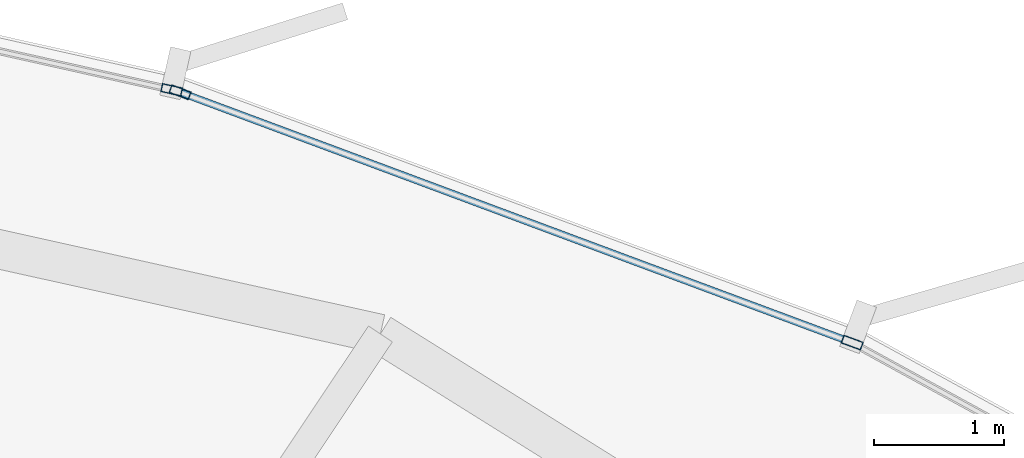
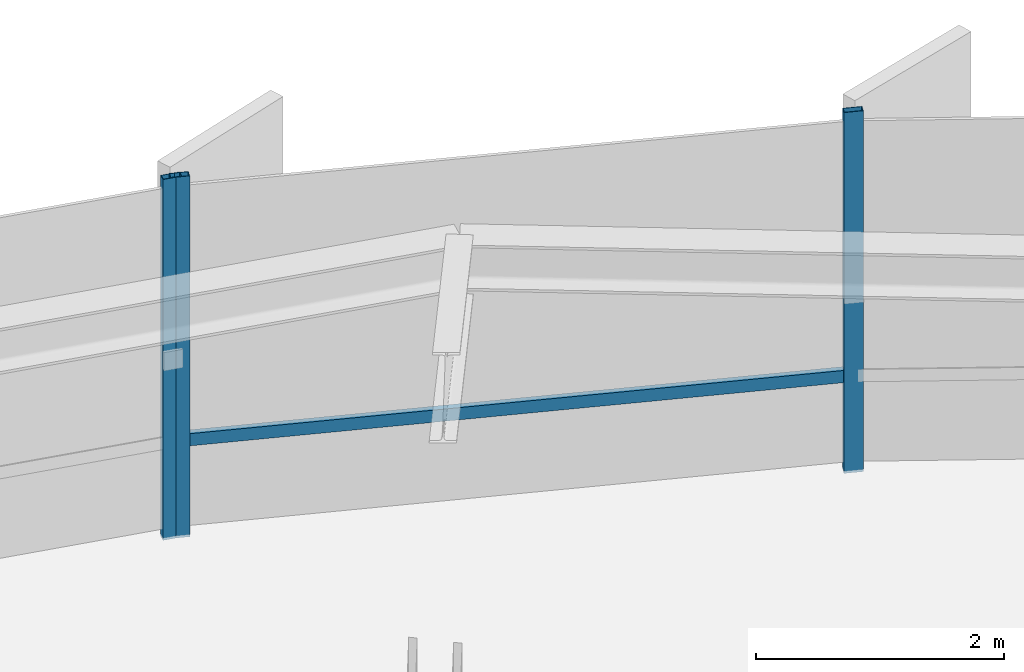
# One storey, part 27 of 37: 4 members, 2 elements without a shape of their own.
"""IFC4 building model written with IfcOpenShell, lengths in metres."""

from ifc_helpers import new_model, si_unit, direction, frame, origin, origin_2d, place, context, subcontext, project, spatial, hollow_rectangle, extrude, source, transform, mapped, material, layer, layer_set, material_profile, profile_set, type_object, element, aggregate, save


model = new_model("IFC4")

# Units and contexts
model_context = context("Model", 3, precision=1e-05, world=origin(), true_north=direction((0.0, 1.0)))
body_context = subcontext(model_context, "Body", "Model", "MODEL_VIEW")
ifc_project = project(units=[si_unit("LENGTHUNIT", "METRE"), si_unit("AREAUNIT", "SQUARE_METRE"), si_unit("VOLUMEUNIT", "CUBIC_METRE"), si_unit("PLANEANGLEUNIT", "RADIAN"), si_unit("MASSUNIT", "GRAM", prefix="KILO"), si_unit("THERMODYNAMICTEMPERATUREUNIT", "KELVIN")], contexts=[model_context])

# Site, building, storey
site_placement = place(None, origin())
site = spatial("IfcSite", under=ifc_project, at=site_placement, CompositionType="ELEMENT")
building_placement = place(site_placement, origin())
building = spatial("IfcBuilding", under=site, at=building_placement, Name="Kethvar Cultural Tower", CompositionType="ELEMENT")
storey_placement = place(building_placement, frame((0.0, 0.0, 60.0)))
storey = spatial("IfcBuildingStorey", under=building, at=storey_placement, Name="L14", CompositionType="ELEMENT", Elevation=60.0)

# Curtain wall, members
ifc_material = material(Name="Aluminium 6063-T6", Category="aluminium")
ifc_layer = layer(ifc_material, 0.179931640625, Name="Aluminium 6063-T6", Category="aluminium")
ifc_layer_set = layer_set([ifc_layer], Name="Aluminium 6063-T6 (180 mm)")
curtain_wall_type = type_object("IfcCurtainWallType", Name="CW-SYS-02-Z1", PredefinedType="NOTDEFINED", material=ifc_layer_set)
curtain_wall_1_placement = place(storey_placement, origin())
curtain_wall_1 = element("IfcCurtainWall", 1, at=curtain_wall_1_placement, inside=storey, type_object=curtain_wall_type, Name="L14 Curtain Wall Run 01", PredefinedType="NOTDEFINED")
ifc_material_profile_1 = material_profile(ifc_material, hollow_rectangle(XDim=0.06494140625, YDim=0.159912109375, WallThickness=0.0048828125, at=origin_2d()), Name="Aluminium 6063-T6 — RHS160x65x5")
ifc_profile_set_1 = profile_set([ifc_material_profile_1], Name="Aluminium 6063-T6 — RHS160x65x5")
member_type_1 = type_object("IfcMemberType", Name="CW-SYS-02-Z1-MUL", PredefinedType="MULLION", material=ifc_profile_set_1)
shared_shape_1 = source(origin(), body_context, "Body", "SweptSolid", [
    extrude(hollow_rectangle(XDim=0.06494140625, YDim=0.159912109375, WallThickness=0.0048828125, at=origin_2d()), origin(), (0.0, 0.0, 1.0), 3.550048828125),
])
member_1_placement = place(storey_placement, frame((65.2236328125, 49.88720703125, 0.0), z_axis=(0.0, 0.0, 1.0), x_axis=(-0.349095469945, -0.937087163963, 0.0)))
member_1 = element("IfcMember", 2, at=member_1_placement, type_object=member_type_1, Name="CW-L14-R01 Mullion 6", PredefinedType="MULLION", context=body_context, shape_type="MappedRepresentation", body=[
    mapped(shared_shape_1, transform((0.0, 0.0, 0.0), scale=1.0)),
])
member_2_placement = place(storey_placement, frame((60.0654296875, 51.80859375, 0.0), z_axis=(0.0, 0.0, 1.0), x_axis=(-0.349095469945, -0.937087163963, 0.0)))
member_2 = element("IfcMember", 3, at=member_2_placement, type_object=member_type_1, Name="CW-L14-R01 Mullion 7", PredefinedType="MULLION", context=body_context, shape_type="MappedRepresentation", body=[
    mapped(shared_shape_1, transform((0.0, 0.0, 0.0), scale=1.0)),
])

# Curtain wall, member
curtain_wall_2_placement = place(storey_placement, origin())
curtain_wall_2 = element("IfcCurtainWall", 4, at=curtain_wall_2_placement, inside=storey, type_object=curtain_wall_type, Name="L14 Curtain Wall Run 02", PredefinedType="NOTDEFINED")
member_3_placement = place(storey_placement, frame((60.00048828125, 51.827880859375, 0.0), z_axis=(0.0, 0.0, 1.0), x_axis=(-0.21831356768, -0.975878673897, 0.0)))
member_3 = element("IfcMember", 5, at=member_3_placement, type_object=member_type_1, Name="CW-L14-R02 Mullion 1", PredefinedType="MULLION", context=body_context, shape_type="MappedRepresentation", body=[
    mapped(shared_shape_1, transform((0.0, 0.0, 0.0), scale=1.0)),
])
aggregate(curtain_wall_2, [member_3])

# Member
ifc_material_profile_2 = material_profile(ifc_material, hollow_rectangle(XDim=0.054931640625, YDim=0.1201171875, WallThickness=0.00390625, at=origin_2d()), Name="Aluminium 6063-T6 — RHS120x55x4")
ifc_profile_set_2 = profile_set([ifc_material_profile_2], Name="Aluminium 6063-T6 — RHS120x55x4")
member_type_2 = type_object("IfcMemberType", Name="CW-SYS-02-Z1-TRN", PredefinedType="USERDEFINED", material=ifc_profile_set_2)
shared_shape_2 = source(origin(), body_context, "Body", "SweptSolid", [
    extrude(hollow_rectangle(XDim=0.054931640625, YDim=0.1201171875, WallThickness=0.00390625, at=origin_2d()), origin(), (0.0, 0.0, 1.0), 5.453125),
])
member_4_placement = place(storey_placement, frame((65.179931640625, 49.903564453125, 0.949951171875), z_axis=(-0.937094176045, 0.34907664663, 0.0), x_axis=(-0.34907664663, -0.937094176045, 0.0)))
member_4 = element("IfcMember", 6, at=member_4_placement, type_object=member_type_2, Name="CW-L14-R01 Transom 6", ObjectType="TRANSOM", PredefinedType="USERDEFINED", context=body_context, shape_type="MappedRepresentation", body=[
    mapped(shared_shape_2, transform((0.0, 0.0, 0.0), scale=1.0)),
])

aggregate(curtain_wall_1, [member_1, member_2, member_4])

save(model, "model.ifc")
